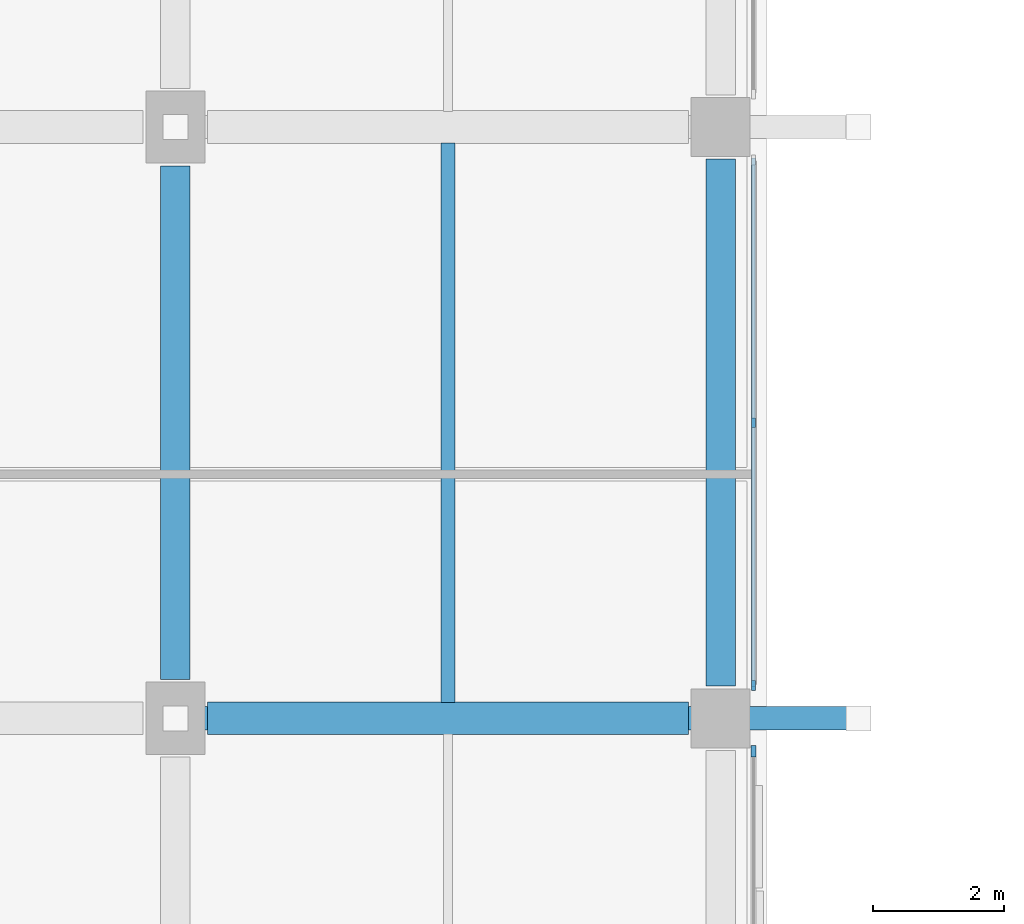
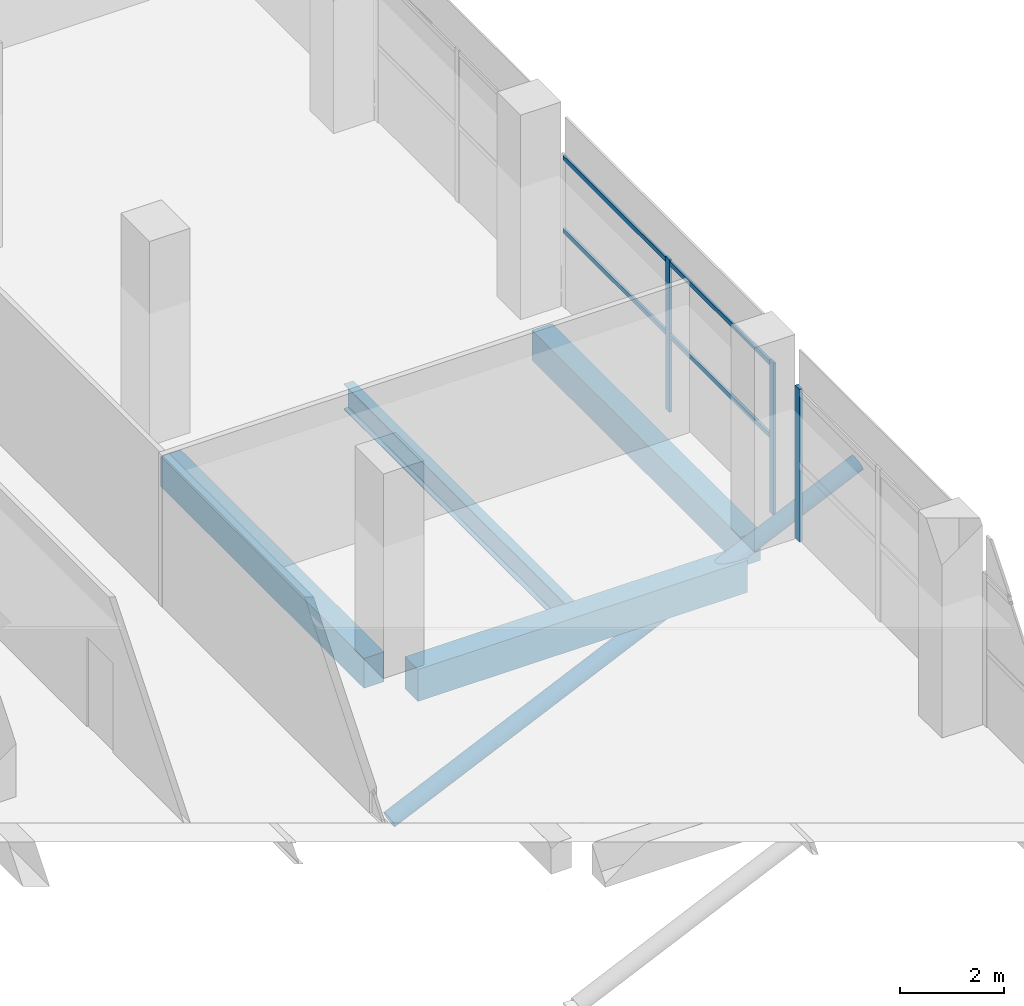
# One storey, part 12 of 82: 6 members, 4 beams, 2 elements without a shape of their own.
"""IFC4 building model written with IfcOpenShell, lengths in metres."""

import ifcopenshell
import ifcopenshell.guid

model = None  # the IFC model being written
_history = None  # IfcOwnerHistory: only IFC2X3 demands one
_inside = {}  # id of a spatial element -> (the spatial element, [elements in it])
_under = {}  # id of a project, library or spatial element -> (it, [spatial elements below it])
_declared = {}  # id of a project -> (the project, [libraries it declares])
_typed = {}  # id of a type object -> (the type object, [elements of that type])
_made_of = {}  # id of a material, layer set ... -> (it, [elements and type objects made of it])


def new_model(schema):
    """Start an empty IFC model of exactly this schema.

    Asked for "IFC4X3", IfcOpenShell would pick the latest addendum, in which some entities
    have other attributes; the version numbers below select the first issue.
    IFC2X3 requires an IfcOwnerHistory on every rooted entity: one is made here for all.
    """
    global model, _history
    if schema == "IFC4X3":
        model = ifcopenshell.file(schema_version=(4, 3, 0, 0))
    else:
        model = ifcopenshell.file(schema=schema)
    _inside.clear()
    _under.clear()
    _declared.clear()
    _typed.clear()
    _made_of.clear()
    _history = None
    if model.schema == "IFC2X3":
        org = make("IfcOrganization", Name="unknown")
        user = make(
            "IfcPersonAndOrganization",
            ThePerson=make("IfcPerson", FamilyName="unknown"),
            TheOrganization=org,
        )
        app = make(
            "IfcApplication",
            ApplicationDeveloper=org,
            Version="unknown",
            ApplicationFullName="unknown",
            ApplicationIdentifier="unknown",
        )
        _history = make(
            "IfcOwnerHistory",
            OwningUser=user,
            OwningApplication=app,
            ChangeAction="ADDED",
            CreationDate=0,
        )
    return model


def make(cls, **values):
    """One entity of the class cls with the attributes given. An attribute that is None is left unset."""
    return model.create_entity(
        cls, **{name: value for name, value in values.items() if value is not None}
    )


def rooted(cls, **values):
    """An entity with a GlobalId (a new one), such as an element, a storey or a relation."""
    return make(cls, GlobalId=ifcopenshell.guid.new(), OwnerHistory=_history, **values)


def si_unit(unit_type, name, prefix=None):
    """IfcSIUnit, for example si_unit("LENGTHUNIT", "METRE", prefix="MILLI")."""
    return make("IfcSIUnit", UnitType=unit_type, Prefix=prefix, Name=name)


def assignment(units):
    """IfcUnitAssignment: the units of a project."""
    return None if units is None else make("IfcUnitAssignment", Units=units)


def point(xyz):
    """IfcCartesianPoint."""
    return None if xyz is None else make("IfcCartesianPoint", Coordinates=xyz)


def direction(xyz):
    """IfcDirection."""
    return None if xyz is None else make("IfcDirection", DirectionRatios=xyz)


def frame(location, z_axis=None, x_axis=None):
    """IfcAxis2Placement3D, a coordinate frame: its origin and axes. An axis left out is left unset."""
    return make(
        "IfcAxis2Placement3D",
        Location=point(location),
        Axis=direction(z_axis),
        RefDirection=direction(x_axis),
    )


def frame_2d(location, x_axis=None):
    """IfcAxis2Placement2D, a coordinate frame in the plane: its origin and x axis."""
    return make(
        "IfcAxis2Placement2D", Location=point(location), RefDirection=direction(x_axis)
    )


def origin():
    """The frame at (0, 0, 0) with its axes left unset."""
    return frame((0.0, 0.0, 0.0))


def origin_2d():
    """The frame at (0, 0) in the plane with its x axis left unset."""
    return frame_2d((0.0, 0.0))


def place(relative_to, where):
    """IfcLocalPlacement: puts the frame where relative to a parent placement (None: the world)."""
    return make(
        "IfcLocalPlacement", PlacementRelTo=relative_to, RelativePlacement=where
    )


def context(
    kind, dimensions, precision=None, world=None, true_north=None, identifier=None
):
    """IfcGeometricRepresentationContext, for example the 3D "Model" context."""
    return make(
        "IfcGeometricRepresentationContext",
        ContextIdentifier=identifier,
        ContextType=kind,
        CoordinateSpaceDimension=dimensions,
        Precision=precision,
        WorldCoordinateSystem=world,
        TrueNorth=true_north,
    )


def subcontext(parent, identifier, kind, view, scale=None):
    """IfcGeometricRepresentationSubContext, for example "Body" below "Model"."""
    return make(
        "IfcGeometricRepresentationSubContext",
        ContextIdentifier=identifier,
        ContextType=kind,
        ParentContext=parent,
        TargetScale=scale,
        TargetView=view,
    )


def project(units=None, contexts=None):
    """IfcProject with its units and contexts."""
    return rooted(
        "IfcProject",
        Name="project",
        RepresentationContexts=contexts,
        UnitsInContext=assignment(units),
    )


def spatial(cls, under=None, at=None, **own):
    """A site, building, storey or space (cls), placed at a placement, below another one or the project."""
    s = rooted(cls, ObjectPlacement=at, **own)
    if under is not None:
        _under.setdefault(under.id(), (under, []))[1].append(s)
    return s


def profile(cls, at=None, kind="AREA", **sizes):
    """A parametric profile (cls). Its sizes go by their IFC names, for example OverallWidth=200.0."""
    return make(cls, ProfileType=kind, Position=at, **sizes)


def rectangle(**sizes):
    """IfcRectangleProfileDef."""
    return profile("IfcRectangleProfileDef", **sizes)


def hollow_circle(**sizes):
    """IfcCircleHollowProfileDef."""
    return profile("IfcCircleHollowProfileDef", **sizes)


def i_section(**sizes):
    """IfcIShapeProfileDef."""
    return profile("IfcIShapeProfileDef", **sizes)


def extrude(swept, where, along, depth):
    """IfcExtrudedAreaSolid: the profile swept, set in the frame where, extruded along a direction by depth."""
    return make(
        "IfcExtrudedAreaSolid",
        SweptArea=swept,
        Position=where,
        ExtrudedDirection=direction(along),
        Depth=depth,
    )


def shape(context_of_items, identifier, shape_type, items):
    """IfcShapeRepresentation: the items that make up one representation, for example the "Body"."""
    return make(
        "IfcShapeRepresentation",
        ContextOfItems=context_of_items,
        RepresentationIdentifier=identifier,
        RepresentationType=shape_type,
        Items=items,
    )


def material(Name=None, Category=None):
    """IfcMaterial."""
    return make("IfcMaterial", Name=Name, Category=Category)


def material_profile(
    of_material, cross_section, Name=None, Category=None, Priority=None
):
    """IfcMaterialProfile: a cross section and its material."""
    return make(
        "IfcMaterialProfile",
        Name=Name,
        Material=of_material,
        Profile=cross_section,
        Priority=Priority,
        Category=Category,
    )


def profile_set(profiles, Name=None, composite=None):
    """IfcMaterialProfileSet."""
    return make(
        "IfcMaterialProfileSet",
        Name=Name,
        MaterialProfiles=profiles,
        CompositeProfile=composite,
    )


def made_of(thing, what):
    """Note that an element or type object is made of a material, layer set ...; save() writes the relation."""
    if what is not None:
        _made_of.setdefault(what.id(), (what, []))[1].append(thing)
    return thing


def type_object(cls, material=None, **own):
    """A type object (cls), such as IfcWallType, which elements share."""
    return made_of(rooted(cls, **own), material)


def element(
    cls,
    number,
    at=None,
    inside=None,
    cuts=None,
    type_object=None,
    material=None,
    context=None,
    identifier="Body",
    shape_type=None,
    held_by="IfcProductDefinitionShape",
    body=None,
    shapes=None,
    **own,
):
    """One element of the class cls, such as IfcWall. Its Tag is "e" and its number.

    at: its placement. inside: the storey or other place that contains it. cuts: it is an
    opening in that element (IfcRelVoidsElement). A single representation is given by context,
    identifier, shape_type and body (its items); several are given by shapes. held_by: the class
    of the entity that holds the representations. save() writes the other relations.
    """
    e = rooted(cls, Tag="e%d" % number, ObjectPlacement=at, **own)
    if body is not None:
        shapes = [shape(context, identifier, shape_type, body)]
    if shapes is not None:
        e.Representation = make(held_by, Representations=shapes)
    if inside is not None:
        _inside.setdefault(inside.id(), (inside, []))[1].append(e)
    if cuts is not None:
        rooted(
            "IfcRelVoidsElement", RelatingBuildingElement=cuts, RelatedOpeningElement=e
        )
    if type_object is not None:
        _typed.setdefault(type_object.id(), (type_object, []))[1].append(e)
    return made_of(e, material)


def aggregate(whole, parts):
    """IfcRelAggregates: a whole, such as a stair, and the parts it consists of."""
    return rooted("IfcRelAggregates", RelatingObject=whole, RelatedObjects=parts)


def save(model, path):
    """Write the relations noted so far, then the file.

    IfcRelAggregates (storeys below a building ...), IfcRelContainedInSpatialStructure (elements
    in a storey), IfcRelDefinesByType, IfcRelAssociatesMaterial and IfcRelDeclares: one each for
    every whole, place, type object, material and project.
    """
    for whole, parts in _under.values():
        aggregate(whole, parts)
    for where, things in _inside.values():
        rooted(
            "IfcRelContainedInSpatialStructure",
            RelatedElements=things,
            RelatingStructure=where,
        )
    for kind, things in _typed.values():
        rooted("IfcRelDefinesByType", RelatedObjects=things, RelatingType=kind)
    for what, things in _made_of.values():
        rooted("IfcRelAssociatesMaterial", RelatedObjects=things, RelatingMaterial=what)
    for by, libraries in _declared.values():
        rooted("IfcRelDeclares", RelatingContext=by, RelatedDefinitions=libraries)
    model.write(path)


model = new_model("IFC4")

# Units and contexts
model_context = context("Model", 3, precision=1e-05, world=origin(), true_north=direction((0.0, 1.0)))
body_context = subcontext(model_context, "Body", "Model", "MODEL_VIEW")
ifc_project = project(units=[si_unit("LENGTHUNIT", "METRE"), si_unit("AREAUNIT", "SQUARE_METRE"), si_unit("VOLUMEUNIT", "CUBIC_METRE"), si_unit("PLANEANGLEUNIT", "RADIAN"), si_unit("MASSUNIT", "GRAM", prefix="KILO"), si_unit("THERMODYNAMICTEMPERATUREUNIT", "KELVIN"), si_unit("POWERUNIT", "WATT")], contexts=[model_context])

# Site, building, storey
site_placement = place(None, origin())
site = spatial("IfcSite", under=ifc_project, at=site_placement, CompositionType="ELEMENT")
building_placement = place(site_placement, origin())
building = spatial("IfcBuilding", under=site, at=building_placement, Name="Sindhuravela Promenade Stadium", CompositionType="ELEMENT")
storey_placement = place(building_placement, frame((0.0, 0.0, 14.39990234375)))
storey = spatial("IfcBuildingStorey", under=building, at=storey_placement, Name="L03", CompositionType="ELEMENT", Elevation=14.39990234375)

# Curtain wall, member
ifc_material_1 = material(Name="Anodised architectural aluminium 6063-T6", Category="aluminium")
curtain_wall_type_1 = type_object("IfcCurtainWallType", Name="CW-MOD-3", PredefinedType="NOTDEFINED", material=ifc_material_1)
curtain_wall_1_placement = place(storey_placement, origin())
curtain_wall_1 = element("IfcCurtainWall", 1, at=curtain_wall_1_placement, inside=storey, type_object=curtain_wall_type_1, Name="Bronze curtain wall CW-WEST-L03-042", PredefinedType="NOTDEFINED")
ifc_material_profile_1 = material_profile(ifc_material_1, rectangle(XDim=0.074951171875, YDim=0.175048828125, at=origin_2d()), Name="ALU MULL 75x175")
ifc_profile_set_1 = profile_set([ifc_material_profile_1], Name="Anodised architectural aluminium 6063-T6")
member_type_1 = type_object("IfcMemberType", Name="CW-MUL-1", PredefinedType="MULLION", material=ifc_profile_set_1)
member_1_placement = place(storey_placement, frame((44.800048828125, 67.89990234375, 0.0), z_axis=(0.0, 0.0, 1.0), x_axis=(1.0, 0.0, 0.0)))
member_1 = element("IfcMember", 2, at=member_1_placement, type_object=member_type_1, Name="Curtain wall mullion CW-WEST-L03-042-M1", PredefinedType="MULLION", context=body_context, shape_type="SweptSolid", body=[
    extrude(rectangle(XDim=0.074951171875, YDim=0.175048828125, at=origin_2d()), origin(), (0.0, 0.0, 1.0), 3.580078125),
])
aggregate(curtain_wall_1, [member_1])

# Curtain wall, members
curtain_wall_type_2 = type_object("IfcCurtainWallType", Name="CW-MOD-2", PredefinedType="NOTDEFINED", material=ifc_material_1)
curtain_wall_2_placement = place(storey_placement, origin())
curtain_wall_2 = element("IfcCurtainWall", 3, at=curtain_wall_2_placement, inside=storey, type_object=curtain_wall_type_2, Name="Bronze curtain wall CW-WEST-L03-041", PredefinedType="NOTDEFINED")
ifc_material_profile_2 = material_profile(ifc_material_1, rectangle(XDim=0.054931640625, YDim=0.14990234375, at=origin_2d()), Name="ALU M55x150")
ifc_profile_set_2 = profile_set([ifc_material_profile_2], Name="Anodised architectural aluminium 6063-T6")
member_type_2 = type_object("IfcMemberType", Name="CW-MUL-6", PredefinedType="MULLION", material=ifc_profile_set_2)
member_2_placement = place(storey_placement, frame((44.800048828125, 72.89990234375, 0.0), z_axis=(0.0, 0.0, 1.0), x_axis=(1.0, 0.0, 0.0)))
member_2 = element("IfcMember", 4, at=member_2_placement, type_object=member_type_2, Name="Curtain wall mullion CW-WEST-L03-041-M2", PredefinedType="MULLION", context=body_context, shape_type="SweptSolid", body=[
    extrude(rectangle(XDim=0.054931640625, YDim=0.14990234375, at=origin_2d()), origin(), (0.0, 0.0, 1.0), 3.580078125),
])
member_3_placement = place(storey_placement, frame((44.800048828125, 68.89990234375, 0.0), z_axis=(0.0, 0.0, 1.0), x_axis=(1.0, 0.0, 0.0)))
member_3 = element("IfcMember", 5, at=member_3_placement, type_object=member_type_2, Name="Curtain wall mullion CW-WEST-L03-041-M3", PredefinedType="MULLION", context=body_context, shape_type="SweptSolid", body=[
    extrude(rectangle(XDim=0.054931640625, YDim=0.14990234375, at=origin_2d()), origin(), (0.0, 0.0, 1.0), 3.580078125),
])
ifc_material_profile_3 = material_profile(ifc_material_1, rectangle(XDim=0.054931640625, YDim=0.10498046875, at=origin_2d()), Name="ALU T55x105")
ifc_profile_set_3 = profile_set([ifc_material_profile_3], Name="Anodised architectural aluminium 6063-T6")
member_type_3 = type_object("IfcMemberType", Name="CW-TRN-6", PredefinedType="USERDEFINED", material=ifc_profile_set_3)
member_4_placement = place(storey_placement, frame((44.800048828125, 76.925048828125, 1.7900390625), z_axis=(0.0, -1.0, 0.0), x_axis=(1.0, 0.0, 0.0)))
member_4 = element("IfcMember", 6, at=member_4_placement, type_object=member_type_3, Name="Curtain wall transom CW-WEST-L03-041-T1", ObjectType="TRANSOM", PredefinedType="USERDEFINED", context=body_context, shape_type="SweptSolid", body=[
    extrude(rectangle(XDim=0.054931640625, YDim=0.10498046875, at=origin_2d()), origin(), (0.0, 0.0, 1.0), 8.050048828125),
])
member_5_placement = place(storey_placement, frame((44.800048828125, 76.925048828125, 3.5), z_axis=(0.0, -1.0, 0.0), x_axis=(1.0, 0.0, 0.0)))
member_5 = element("IfcMember", 7, at=member_5_placement, type_object=member_type_3, Name="Curtain wall transom CW-WEST-L03-041-T2", ObjectType="TRANSOM", PredefinedType="USERDEFINED", context=body_context, shape_type="SweptSolid", body=[
    extrude(rectangle(XDim=0.054931640625, YDim=0.10498046875, at=origin_2d()), origin(), (0.0, 0.0, 1.0), 8.050048828125),
])
aggregate(curtain_wall_2, [member_2, member_3, member_4, member_5])

# Beams
ifc_material_2 = material(Name="Concrete M40", Category="concrete")
ifc_material_profile_4 = material_profile(ifc_material_2, rectangle(XDim=0.449951171875, YDim=0.699951171875, at=origin_2d()), Name="RC 450x700")
ifc_profile_set_4 = profile_set([ifc_material_profile_4], Name="Concrete M40")
beam_type_1 = type_object("IfcBeamType", Name="RC-BM-450x700", PredefinedType="BEAM", material=ifc_profile_set_4)
beam_1_placement = place(storey_placement, frame((36.0, 68.989990234375, -0.64990234375), z_axis=(0.0, 1.0, 0.0), x_axis=(-1.0, 0.0, 0.0)))
element("IfcBeam", 8, at=beam_1_placement, inside=storey, type_object=beam_type_1, Name="Primary beam GB07 WEST L03", PredefinedType="BEAM", context=body_context, shape_type="SweptSolid", body=[
    extrude(rectangle(XDim=0.449951171875, YDim=0.699951171875, at=origin_2d()), origin(), (0.0, 0.0, 1.0), 7.820068359375),
])
beam_2_placement = place(storey_placement, frame((44.300048828125, 68.889892578125, -0.64990234375), z_axis=(0.0, 1.0, 0.0), x_axis=(-1.0, 0.0, 0.0)))
element("IfcBeam", 9, at=beam_2_placement, inside=storey, type_object=beam_type_1, Name="Primary beam GB07 WEST L03", PredefinedType="BEAM", context=body_context, shape_type="SweptSolid", body=[
    extrude(rectangle(XDim=0.449951171875, YDim=0.699951171875, at=origin_2d()), origin(), (0.0, 0.0, 1.0), 8.02001953125),
])
ifc_material_profile_5 = material_profile(ifc_material_2, rectangle(XDim=0.5, YDim=0.75, at=origin_2d()), Name="RC 500x750")
ifc_profile_set_5 = profile_set([ifc_material_profile_5], Name="Concrete M40")
beam_type_2 = type_object("IfcBeamType", Name="RC-BM-500x750", PredefinedType="BEAM", material=ifc_profile_set_5)
beam_3_placement = place(storey_placement, frame((36.489990234375, 68.39990234375, -0.6748046875), z_axis=(1.0, 0.0, 0.0), x_axis=(0.0, 1.0, 0.0)))
element("IfcBeam", 10, at=beam_3_placement, inside=storey, type_object=beam_type_2, Name="Primary girder GB06 WEST L03", PredefinedType="BEAM", context=body_context, shape_type="SweptSolid", body=[
    extrude(rectangle(XDim=0.5, YDim=0.75, at=origin_2d()), origin(), (0.0, 0.0, 1.0), 7.320068359375),
])
ifc_material_3 = material(Name="Steel E350 (IS 2062 E350BR)", Category="steel")
ifc_material_profile_6 = material_profile(ifc_material_3, i_section(OverallWidth=0.2099609375, OverallDepth=0.60009765625, WebThickness=0.011962890625, FlangeThickness=0.020751953125, FilletRadius=0.02001953125, at=origin_2d()), Name="ISMB 600")
ifc_profile_set_6 = profile_set([ifc_material_profile_6], Name="Steel E350 (IS 2062 E350BR)")
beam_type_3 = type_object("IfcBeamType", Name="ST-BM-MB600", PredefinedType="BEAM", material=ifc_profile_set_6)
beam_4_placement = place(storey_placement, frame((40.14990234375, 68.639892578125, -0.599853515625), z_axis=(0.0, 1.0, 0.0), x_axis=(-1.0, 0.0, 0.0)))
element("IfcBeam", 11, at=beam_4_placement, inside=storey, type_object=beam_type_3, Name="Secondary floor joist SB09 WEST L03", PredefinedType="BEAM", context=body_context, shape_type="SweptSolid", body=[
    extrude(i_section(OverallWidth=0.2099609375, OverallDepth=0.60009765625, WebThickness=0.011962890625, FlangeThickness=0.020751953125, FilletRadius=0.02001953125, at=origin_2d()), origin(), (0.0, 0.0, 1.0), 8.52001953125),
])

# Member
ifc_material_profile_7 = material_profile(ifc_material_3, hollow_circle(Radius=0.177734375, WallThickness=0.011962890625, at=origin_2d()), Name="CHS 355.6x12")
ifc_profile_set_7 = profile_set([ifc_material_profile_7], Name="Steel E350 (IS 2062 E350BR)")
member_type_4 = type_object("IfcMemberType", Name="ST-MB-CHS356", PredefinedType="STRUT", material=ifc_profile_set_7)
member_6_placement = place(storey_placement, frame((36.0, 68.39990234375, -3.7998046875), z_axis=(0.9096146847750655, 0.0, 0.41545291579378546), x_axis=(0.0, 1.0, 0.0)))
element("IfcMember", 12, at=member_6_placement, inside=storey, type_object=member_type_4, Name="Upper raker prop strut MS02 STRUT-T2-W-057", PredefinedType="STRUT", context=body_context, shape_type="SweptSolid", body=[
    extrude(hollow_circle(Radius=0.177734375, WallThickness=0.011962890625, at=origin_2d()), origin(), (0.0, 0.0, 1.0), 11.433349609375),
])

save(model, "model.ifc")
